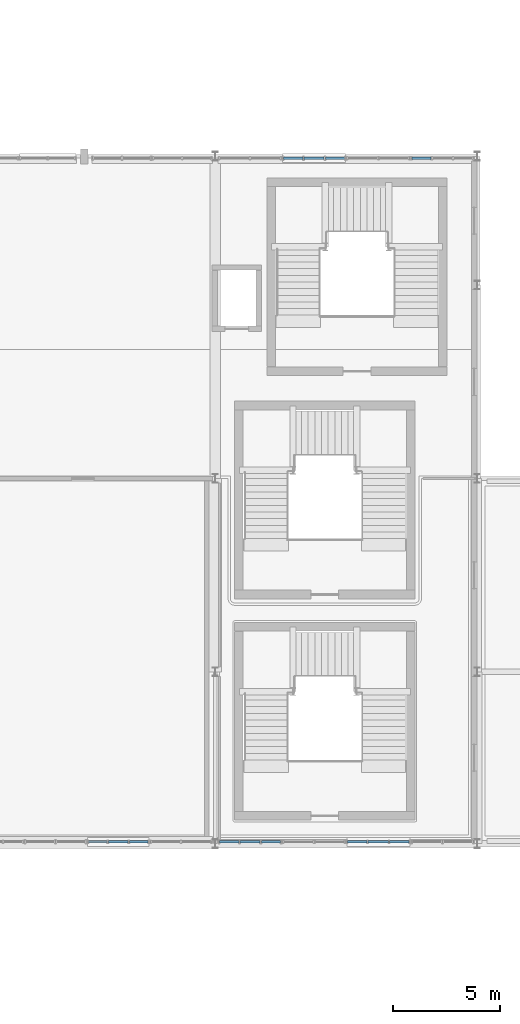
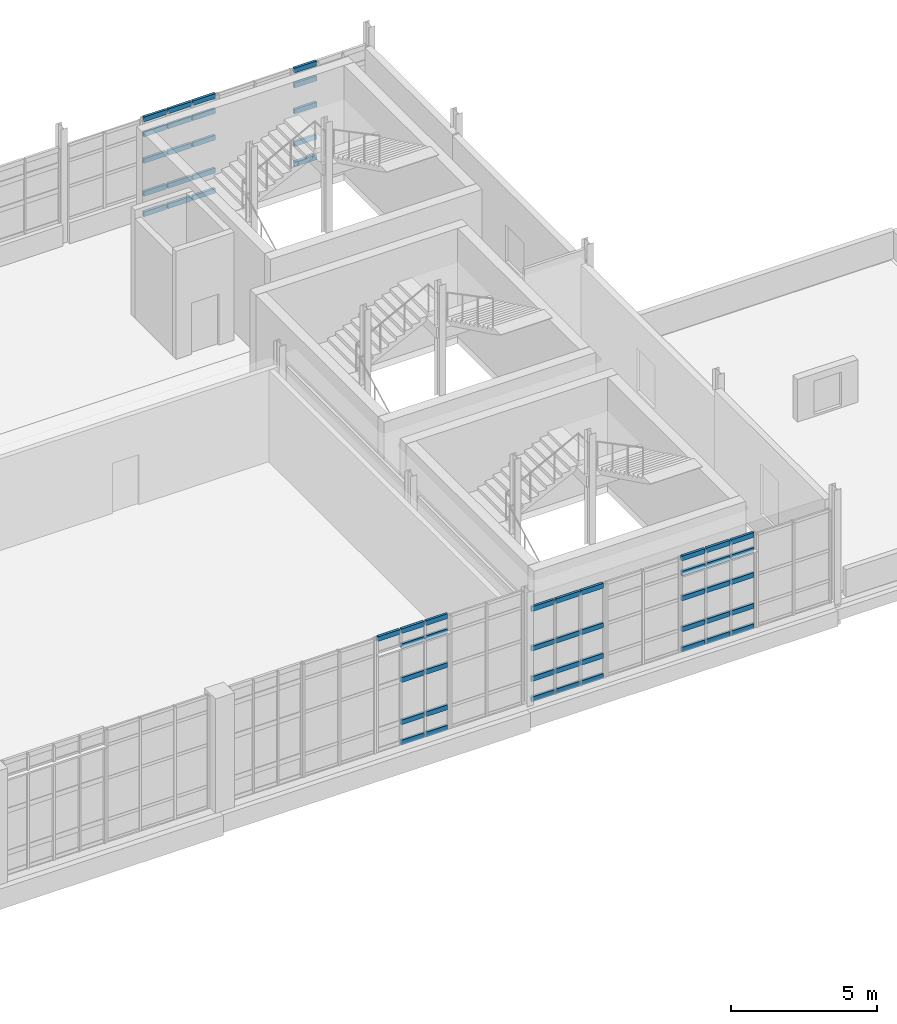
# One storey, part 82 of 127: 58 members, 5 elements without a shape of their own.
"""IFC4 building model written with IfcOpenShell, lengths in metres."""

from ifc_helpers import new_model, si_unit, derived_unit, direction, frame, origin, origin_2d, place, context, subcontext, project, spatial, hollow_rectangle, extrude, material, layer, layer_set, material_profile, profile_set, type_object, element, aggregate, save


model = new_model("IFC4")

# Units and contexts
model_context = context("Model", 3, precision=1e-05, world=origin(), true_north=direction((0.0, 1.0)))
body_context = subcontext(model_context, "Body", "Model", "MODEL_VIEW")
ifc_project = project(units=[si_unit("LENGTHUNIT", "METRE"), si_unit("AREAUNIT", "SQUARE_METRE"), si_unit("VOLUMEUNIT", "CUBIC_METRE"), si_unit("PLANEANGLEUNIT", "RADIAN"), si_unit("MASSUNIT", "GRAM", prefix="KILO"), derived_unit("THERMALTRANSMITTANCEUNIT", [(si_unit("POWERUNIT", "WATT"), 1), (si_unit("LENGTHUNIT", "METRE"), -2), (si_unit("THERMODYNAMICTEMPERATUREUNIT", "KELVIN"), -1)])], contexts=[model_context])

# Site, building, storey
site_placement = place(None, origin())
site = spatial("IfcSite", under=ifc_project, at=site_placement, CompositionType="ELEMENT")
building_placement = place(site_placement, origin())
building = spatial("IfcBuilding", under=site, at=building_placement, Name="Nallur Shell Playhouse", CompositionType="ELEMENT")
storey_placement = place(building_placement, frame((0.0, 0.0, 5.39990234375)))
storey = spatial("IfcBuildingStorey", under=building, at=storey_placement, Name="L02", CompositionType="ELEMENT", Elevation=5.39990234375)

# Curtain wall, members
ifc_material_1 = material(Name="Anodised Aluminium Double-Glazed Facade System", Category="aluminium")
ifc_layer_1 = layer(ifc_material_1, 0.176025390625)
ifc_layer_set_1 = layer_set([ifc_layer_1], Name="Anodised Aluminium Double-Glazed Facade System")
curtain_wall_type_1 = type_object("IfcCurtainWallType", Name="CW-UNIT-04", PredefinedType="NOTDEFINED", material=ifc_layer_set_1)
curtain_wall_1_placement = place(storey_placement, origin())
curtain_wall_1 = element("IfcCurtainWall", 1, at=curtain_wall_1_placement, inside=storey, type_object=curtain_wall_type_1, Name="Unitised curtain wall CW-036 (L02)", PredefinedType="NOTDEFINED")
ifc_material_2 = material(Name="Aluminium Alloy 6063-T6 Transom", Category="aluminium")
ifc_material_profile = material_profile(ifc_material_2, hollow_rectangle(XDim=0.10009765625, YDim=0.199951171875, WallThickness=0.008056640625, at=origin_2d()), Name="RHS 200x100x8")
ifc_profile_set = profile_set([ifc_material_profile], Name="Aluminium Alloy 6063-T6 Transom")
member_type = type_object("IfcMemberType", Name="MB-CW-TRN140", PredefinedType="USERDEFINED", material=ifc_profile_set)
member_1_placement = place(storey_placement, frame((150.78857421875, 55.909912109375, 0.050048828125), z_axis=(1.0, 0.0, 0.0), x_axis=(0.0, 1.0, 0.0)))
member_1 = element("IfcMember", 2, at=member_1_placement, type_object=member_type, Name="CW-04 transom 1.1", ObjectType="TRANSOM", PredefinedType="USERDEFINED", context=body_context, shape_type="SweptSolid", body=[
    extrude(hollow_rectangle(XDim=0.10009765625, YDim=0.199951171875, WallThickness=0.008056640625, at=origin_2d()), origin(), (0.0, 0.0, 1.0), 0.89453125),
])
member_2_placement = place(storey_placement, frame((150.78857421875, 55.909912109375, 0.900146484375), z_axis=(1.0, 0.0, 0.0), x_axis=(0.0, 1.0, 0.0)))
member_2 = element("IfcMember", 3, at=member_2_placement, type_object=member_type, Name="CW-04 transom 1.2", ObjectType="TRANSOM", PredefinedType="USERDEFINED", context=body_context, shape_type="SweptSolid", body=[
    extrude(hollow_rectangle(XDim=0.10009765625, YDim=0.199951171875, WallThickness=0.008056640625, at=origin_2d()), origin(), (0.0, 0.0, 1.0), 0.89453125),
])
member_3_placement = place(storey_placement, frame((150.78857421875, 55.909912109375, 2.281982421875), z_axis=(1.0, 0.0, 0.0), x_axis=(0.0, 1.0, 0.0)))
member_3 = element("IfcMember", 4, at=member_3_placement, type_object=member_type, Name="CW-04 transom 1.3", ObjectType="TRANSOM", PredefinedType="USERDEFINED", context=body_context, shape_type="SweptSolid", body=[
    extrude(hollow_rectangle(XDim=0.10009765625, YDim=0.199951171875, WallThickness=0.008056640625, at=origin_2d()), origin(), (0.0, 0.0, 1.0), 0.89453125),
])
member_4_placement = place(storey_placement, frame((150.78857421875, 55.909912109375, 3.39501953125), z_axis=(1.0, 0.0, 0.0), x_axis=(0.0, 1.0, 0.0)))
member_4 = element("IfcMember", 5, at=member_4_placement, type_object=member_type, Name="CW-04 transom 1.4", ObjectType="TRANSOM", PredefinedType="USERDEFINED", context=body_context, shape_type="SweptSolid", body=[
    extrude(hollow_rectangle(XDim=0.10009765625, YDim=0.199951171875, WallThickness=0.008056640625, at=origin_2d()), origin(), (0.0, 0.0, 1.0), 0.89453125),
])
member_5_placement = place(storey_placement, frame((150.78857421875, 55.909912109375, 4.025146484375), z_axis=(1.0, 0.0, 0.0), x_axis=(0.0, 1.0, 0.0)))
member_5 = element("IfcMember", 6, at=member_5_placement, type_object=member_type, Name="CW-04 transom 1.5", ObjectType="TRANSOM", PredefinedType="USERDEFINED", context=body_context, shape_type="SweptSolid", body=[
    extrude(hollow_rectangle(XDim=0.10009765625, YDim=0.199951171875, WallThickness=0.008056640625, at=origin_2d()), origin(), (0.0, 0.0, 1.0), 0.89453125),
])
member_6_placement = place(storey_placement, frame((151.7421875, 55.909912109375, 0.050048828125), z_axis=(1.0, 0.0, 0.0), x_axis=(0.0, 1.0, 0.0)))
member_6 = element("IfcMember", 7, at=member_6_placement, type_object=member_type, Name="CW-04 transom 2.1", ObjectType="TRANSOM", PredefinedType="USERDEFINED", context=body_context, shape_type="SweptSolid", body=[
    extrude(hollow_rectangle(XDim=0.10009765625, YDim=0.199951171875, WallThickness=0.008056640625, at=origin_2d()), origin(), (0.0, 0.0, 1.0), 0.93212890625),
])
member_7_placement = place(storey_placement, frame((151.7421875, 55.909912109375, 0.900146484375), z_axis=(1.0, 0.0, 0.0), x_axis=(0.0, 1.0, 0.0)))
member_7 = element("IfcMember", 8, at=member_7_placement, type_object=member_type, Name="CW-04 transom 2.2", ObjectType="TRANSOM", PredefinedType="USERDEFINED", context=body_context, shape_type="SweptSolid", body=[
    extrude(hollow_rectangle(XDim=0.10009765625, YDim=0.199951171875, WallThickness=0.008056640625, at=origin_2d()), origin(), (0.0, 0.0, 1.0), 0.93212890625),
])
member_8_placement = place(storey_placement, frame((151.7421875, 55.909912109375, 2.281982421875), z_axis=(1.0, 0.0, 0.0), x_axis=(0.0, 1.0, 0.0)))
member_8 = element("IfcMember", 9, at=member_8_placement, type_object=member_type, Name="CW-04 transom 2.3", ObjectType="TRANSOM", PredefinedType="USERDEFINED", context=body_context, shape_type="SweptSolid", body=[
    extrude(hollow_rectangle(XDim=0.10009765625, YDim=0.199951171875, WallThickness=0.008056640625, at=origin_2d()), origin(), (0.0, 0.0, 1.0), 0.93212890625),
])
member_9_placement = place(storey_placement, frame((151.7421875, 55.909912109375, 3.39501953125), z_axis=(1.0, 0.0, 0.0), x_axis=(0.0, 1.0, 0.0)))
member_9 = element("IfcMember", 10, at=member_9_placement, type_object=member_type, Name="CW-04 transom 2.4", ObjectType="TRANSOM", PredefinedType="USERDEFINED", context=body_context, shape_type="SweptSolid", body=[
    extrude(hollow_rectangle(XDim=0.10009765625, YDim=0.199951171875, WallThickness=0.008056640625, at=origin_2d()), origin(), (0.0, 0.0, 1.0), 0.93212890625),
])
member_10_placement = place(storey_placement, frame((151.7421875, 55.909912109375, 4.025146484375), z_axis=(1.0, 0.0, 0.0), x_axis=(0.0, 1.0, 0.0)))
member_10 = element("IfcMember", 11, at=member_10_placement, type_object=member_type, Name="CW-04 transom 2.5", ObjectType="TRANSOM", PredefinedType="USERDEFINED", context=body_context, shape_type="SweptSolid", body=[
    extrude(hollow_rectangle(XDim=0.10009765625, YDim=0.199951171875, WallThickness=0.008056640625, at=origin_2d()), origin(), (0.0, 0.0, 1.0), 0.93212890625),
])
member_11_placement = place(storey_placement, frame((152.7333984375, 55.909912109375, 0.050048828125), z_axis=(1.0, 0.0, 0.0), x_axis=(0.0, 1.0, 0.0)))
member_11 = element("IfcMember", 12, at=member_11_placement, type_object=member_type, Name="CW-04 transom 3.1", ObjectType="TRANSOM", PredefinedType="USERDEFINED", context=body_context, shape_type="SweptSolid", body=[
    extrude(hollow_rectangle(XDim=0.10009765625, YDim=0.199951171875, WallThickness=0.008056640625, at=origin_2d()), origin(), (0.0, 0.0, 1.0), 0.89453125),
])
member_12_placement = place(storey_placement, frame((152.7333984375, 55.909912109375, 0.900146484375), z_axis=(1.0, 0.0, 0.0), x_axis=(0.0, 1.0, 0.0)))
member_12 = element("IfcMember", 13, at=member_12_placement, type_object=member_type, Name="CW-04 transom 3.2", ObjectType="TRANSOM", PredefinedType="USERDEFINED", context=body_context, shape_type="SweptSolid", body=[
    extrude(hollow_rectangle(XDim=0.10009765625, YDim=0.199951171875, WallThickness=0.008056640625, at=origin_2d()), origin(), (0.0, 0.0, 1.0), 0.89453125),
])
member_13_placement = place(storey_placement, frame((152.7333984375, 55.909912109375, 2.281982421875), z_axis=(1.0, 0.0, 0.0), x_axis=(0.0, 1.0, 0.0)))
member_13 = element("IfcMember", 14, at=member_13_placement, type_object=member_type, Name="CW-04 transom 3.3", ObjectType="TRANSOM", PredefinedType="USERDEFINED", context=body_context, shape_type="SweptSolid", body=[
    extrude(hollow_rectangle(XDim=0.10009765625, YDim=0.199951171875, WallThickness=0.008056640625, at=origin_2d()), origin(), (0.0, 0.0, 1.0), 0.89453125),
])
member_14_placement = place(storey_placement, frame((152.7333984375, 55.909912109375, 3.39501953125), z_axis=(1.0, 0.0, 0.0), x_axis=(0.0, 1.0, 0.0)))
member_14 = element("IfcMember", 15, at=member_14_placement, type_object=member_type, Name="CW-04 transom 3.4", ObjectType="TRANSOM", PredefinedType="USERDEFINED", context=body_context, shape_type="SweptSolid", body=[
    extrude(hollow_rectangle(XDim=0.10009765625, YDim=0.199951171875, WallThickness=0.008056640625, at=origin_2d()), origin(), (0.0, 0.0, 1.0), 0.89453125),
])
member_15_placement = place(storey_placement, frame((152.7333984375, 55.909912109375, 4.025146484375), z_axis=(1.0, 0.0, 0.0), x_axis=(0.0, 1.0, 0.0)))
member_15 = element("IfcMember", 16, at=member_15_placement, type_object=member_type, Name="CW-04 transom 3.5", ObjectType="TRANSOM", PredefinedType="USERDEFINED", context=body_context, shape_type="SweptSolid", body=[
    extrude(hollow_rectangle(XDim=0.10009765625, YDim=0.199951171875, WallThickness=0.008056640625, at=origin_2d()), origin(), (0.0, 0.0, 1.0), 0.89453125),
])
aggregate(curtain_wall_1, [member_1, member_2, member_3, member_4, member_5, member_6, member_7, member_8, member_9, member_10, member_11, member_12, member_13, member_14, member_15])

ifc_layer_2 = layer(ifc_material_1, 0.159912109375)
ifc_layer_set_2 = layer_set([ifc_layer_2], Name="Anodised Aluminium Double-Glazed Facade System")
curtain_wall_type_2 = type_object("IfcCurtainWallType", Name="CW-UNIT-06", PredefinedType="NOTDEFINED", material=ifc_layer_set_2)
curtain_wall_2_placement = place(storey_placement, origin())
curtain_wall_2 = element("IfcCurtainWall", 17, at=curtain_wall_2_placement, inside=storey, type_object=curtain_wall_type_2, Name="Unitised curtain wall CW-038 (L02)", PredefinedType="NOTDEFINED")
member_16_placement = place(storey_placement, frame((156.760498046875, 55.909912109375, 0.050048828125), z_axis=(1.0, 0.0, 0.0), x_axis=(0.0, 1.0, 0.0)))
member_16 = element("IfcMember", 18, at=member_16_placement, type_object=member_type, Name="CW-06 transom 1.1", ObjectType="TRANSOM", PredefinedType="USERDEFINED", context=body_context, shape_type="SweptSolid", body=[
    extrude(hollow_rectangle(XDim=0.10009765625, YDim=0.199951171875, WallThickness=0.008056640625, at=origin_2d()), origin(), (0.0, 0.0, 1.0), 0.888916015625),
])
member_17_placement = place(storey_placement, frame((156.760498046875, 55.909912109375, 0.900146484375), z_axis=(1.0, 0.0, 0.0), x_axis=(0.0, 1.0, 0.0)))
member_17 = element("IfcMember", 19, at=member_17_placement, type_object=member_type, Name="CW-06 transom 1.2", ObjectType="TRANSOM", PredefinedType="USERDEFINED", context=body_context, shape_type="SweptSolid", body=[
    extrude(hollow_rectangle(XDim=0.10009765625, YDim=0.199951171875, WallThickness=0.008056640625, at=origin_2d()), origin(), (0.0, 0.0, 1.0), 0.888916015625),
])
member_18_placement = place(storey_placement, frame((156.760498046875, 55.909912109375, 2.260009765625), z_axis=(1.0, 0.0, 0.0), x_axis=(0.0, 1.0, 0.0)))
member_18 = element("IfcMember", 20, at=member_18_placement, type_object=member_type, Name="CW-06 transom 1.3", ObjectType="TRANSOM", PredefinedType="USERDEFINED", context=body_context, shape_type="SweptSolid", body=[
    extrude(hollow_rectangle(XDim=0.10009765625, YDim=0.199951171875, WallThickness=0.008056640625, at=origin_2d()), origin(), (0.0, 0.0, 1.0), 0.888916015625),
])
member_19_placement = place(storey_placement, frame((156.760498046875, 55.909912109375, 3.35498046875), z_axis=(1.0, 0.0, 0.0), x_axis=(0.0, 1.0, 0.0)))
member_19 = element("IfcMember", 21, at=member_19_placement, type_object=member_type, Name="CW-06 transom 1.4", ObjectType="TRANSOM", PredefinedType="USERDEFINED", context=body_context, shape_type="SweptSolid", body=[
    extrude(hollow_rectangle(XDim=0.10009765625, YDim=0.199951171875, WallThickness=0.008056640625, at=origin_2d()), origin(), (0.0, 0.0, 1.0), 0.888916015625),
])
member_20_placement = place(storey_placement, frame((156.760498046875, 55.909912109375, 3.985107421875), z_axis=(1.0, 0.0, 0.0), x_axis=(0.0, 1.0, 0.0)))
member_20 = element("IfcMember", 22, at=member_20_placement, type_object=member_type, Name="CW-06 transom 1.5", ObjectType="TRANSOM", PredefinedType="USERDEFINED", context=body_context, shape_type="SweptSolid", body=[
    extrude(hollow_rectangle(XDim=0.10009765625, YDim=0.199951171875, WallThickness=0.008056640625, at=origin_2d()), origin(), (0.0, 0.0, 1.0), 0.888916015625),
])
aggregate(curtain_wall_2, [member_16, member_17, member_18, member_19, member_20])

ifc_layer_3 = layer(ifc_material_1, 0.16796875)
ifc_layer_set_3 = layer_set([ifc_layer_3], Name="Anodised Aluminium Double-Glazed Facade System")
curtain_wall_type_3 = type_object("IfcCurtainWallType", Name="CW-UNIT-08", PredefinedType="NOTDEFINED", material=ifc_layer_set_3)
curtain_wall_3_placement = place(storey_placement, origin())
curtain_wall_3 = element("IfcCurtainWall", 23, at=curtain_wall_3_placement, inside=storey, type_object=curtain_wall_type_3, Name="Unitised curtain wall CW-040 (L02)", PredefinedType="NOTDEFINED")
member_21_placement = place(storey_placement, frame((156.62158203125, 24.090087890625, 0.050048828125), z_axis=(-1.0, 0.0, 0.0), x_axis=(0.0, -1.0, 0.0)))
member_21 = element("IfcMember", 24, at=member_21_placement, type_object=member_type, Name="CW-08 transom 1.1", ObjectType="TRANSOM", PredefinedType="USERDEFINED", context=body_context, shape_type="SweptSolid", body=[
    extrude(hollow_rectangle(XDim=0.10009765625, YDim=0.199951171875, WallThickness=0.008056640625, at=origin_2d()), origin(), (0.0, 0.0, 1.0), 0.90966796875),
])
member_22_placement = place(storey_placement, frame((156.62158203125, 24.090087890625, 0.900146484375), z_axis=(-1.0, 0.0, 0.0), x_axis=(0.0, -1.0, 0.0)))
member_22 = element("IfcMember", 25, at=member_22_placement, type_object=member_type, Name="CW-08 transom 1.2", ObjectType="TRANSOM", PredefinedType="USERDEFINED", context=body_context, shape_type="SweptSolid", body=[
    extrude(hollow_rectangle(XDim=0.10009765625, YDim=0.199951171875, WallThickness=0.008056640625, at=origin_2d()), origin(), (0.0, 0.0, 1.0), 0.90966796875),
])
member_23_placement = place(storey_placement, frame((156.62158203125, 24.090087890625, 2.197998046875), z_axis=(-1.0, 0.0, 0.0), x_axis=(0.0, -1.0, 0.0)))
member_23 = element("IfcMember", 26, at=member_23_placement, type_object=member_type, Name="CW-08 transom 1.3", ObjectType="TRANSOM", PredefinedType="USERDEFINED", context=body_context, shape_type="SweptSolid", body=[
    extrude(hollow_rectangle(XDim=0.10009765625, YDim=0.199951171875, WallThickness=0.008056640625, at=origin_2d()), origin(), (0.0, 0.0, 1.0), 0.90966796875),
])
member_24_placement = place(storey_placement, frame((156.62158203125, 24.090087890625, 3.2451171875), z_axis=(-1.0, 0.0, 0.0), x_axis=(0.0, -1.0, 0.0)))
member_24 = element("IfcMember", 27, at=member_24_placement, type_object=member_type, Name="CW-08 transom 1.4", ObjectType="TRANSOM", PredefinedType="USERDEFINED", context=body_context, shape_type="SweptSolid", body=[
    extrude(hollow_rectangle(XDim=0.10009765625, YDim=0.199951171875, WallThickness=0.008056640625, at=origin_2d()), origin(), (0.0, 0.0, 1.0), 0.90966796875),
])
member_25_placement = place(storey_placement, frame((156.62158203125, 24.090087890625, 3.875), z_axis=(-1.0, 0.0, 0.0), x_axis=(0.0, -1.0, 0.0)))
member_25 = element("IfcMember", 28, at=member_25_placement, type_object=member_type, Name="CW-08 transom 1.5", ObjectType="TRANSOM", PredefinedType="USERDEFINED", context=body_context, shape_type="SweptSolid", body=[
    extrude(hollow_rectangle(XDim=0.10009765625, YDim=0.199951171875, WallThickness=0.008056640625, at=origin_2d()), origin(), (0.0, 0.0, 1.0), 0.90966796875),
])
member_26_placement = place(storey_placement, frame((155.662841796875, 24.090087890625, 0.050048828125), z_axis=(-1.0, 0.0, 0.0), x_axis=(0.0, -1.0, 0.0)))
member_26 = element("IfcMember", 29, at=member_26_placement, type_object=member_type, Name="CW-08 transom 2.1", ObjectType="TRANSOM", PredefinedType="USERDEFINED", context=body_context, shape_type="SweptSolid", body=[
    extrude(hollow_rectangle(XDim=0.10009765625, YDim=0.199951171875, WallThickness=0.008056640625, at=origin_2d()), origin(), (0.0, 0.0, 1.0), 0.942138671875),
])
member_27_placement = place(storey_placement, frame((155.662841796875, 24.090087890625, 0.900146484375), z_axis=(-1.0, 0.0, 0.0), x_axis=(0.0, -1.0, 0.0)))
member_27 = element("IfcMember", 30, at=member_27_placement, type_object=member_type, Name="CW-08 transom 2.2", ObjectType="TRANSOM", PredefinedType="USERDEFINED", context=body_context, shape_type="SweptSolid", body=[
    extrude(hollow_rectangle(XDim=0.10009765625, YDim=0.199951171875, WallThickness=0.008056640625, at=origin_2d()), origin(), (0.0, 0.0, 1.0), 0.942138671875),
])
member_28_placement = place(storey_placement, frame((155.662841796875, 24.090087890625, 2.197998046875), z_axis=(-1.0, 0.0, 0.0), x_axis=(0.0, -1.0, 0.0)))
member_28 = element("IfcMember", 31, at=member_28_placement, type_object=member_type, Name="CW-08 transom 2.3", ObjectType="TRANSOM", PredefinedType="USERDEFINED", context=body_context, shape_type="SweptSolid", body=[
    extrude(hollow_rectangle(XDim=0.10009765625, YDim=0.199951171875, WallThickness=0.008056640625, at=origin_2d()), origin(), (0.0, 0.0, 1.0), 0.942138671875),
])
member_29_placement = place(storey_placement, frame((155.662841796875, 24.090087890625, 3.2451171875), z_axis=(-1.0, 0.0, 0.0), x_axis=(0.0, -1.0, 0.0)))
member_29 = element("IfcMember", 32, at=member_29_placement, type_object=member_type, Name="CW-08 transom 2.4", ObjectType="TRANSOM", PredefinedType="USERDEFINED", context=body_context, shape_type="SweptSolid", body=[
    extrude(hollow_rectangle(XDim=0.10009765625, YDim=0.199951171875, WallThickness=0.008056640625, at=origin_2d()), origin(), (0.0, 0.0, 1.0), 0.942138671875),
])
member_30_placement = place(storey_placement, frame((155.662841796875, 24.090087890625, 3.875), z_axis=(-1.0, 0.0, 0.0), x_axis=(0.0, -1.0, 0.0)))
member_30 = element("IfcMember", 33, at=member_30_placement, type_object=member_type, Name="CW-08 transom 2.5", ObjectType="TRANSOM", PredefinedType="USERDEFINED", context=body_context, shape_type="SweptSolid", body=[
    extrude(hollow_rectangle(XDim=0.10009765625, YDim=0.199951171875, WallThickness=0.008056640625, at=origin_2d()), origin(), (0.0, 0.0, 1.0), 0.942138671875),
])
member_31_placement = place(storey_placement, frame((154.671630859375, 24.090087890625, 0.050048828125), z_axis=(-1.0, 0.0, 0.0), x_axis=(0.0, -1.0, 0.0)))
member_31 = element("IfcMember", 34, at=member_31_placement, type_object=member_type, Name="CW-08 transom 3.1", ObjectType="TRANSOM", PredefinedType="USERDEFINED", context=body_context, shape_type="SweptSolid", body=[
    extrude(hollow_rectangle(XDim=0.10009765625, YDim=0.199951171875, WallThickness=0.008056640625, at=origin_2d()), origin(), (0.0, 0.0, 1.0), 0.90966796875),
])
member_32_placement = place(storey_placement, frame((154.671630859375, 24.090087890625, 0.900146484375), z_axis=(-1.0, 0.0, 0.0), x_axis=(0.0, -1.0, 0.0)))
member_32 = element("IfcMember", 35, at=member_32_placement, type_object=member_type, Name="CW-08 transom 3.2", ObjectType="TRANSOM", PredefinedType="USERDEFINED", context=body_context, shape_type="SweptSolid", body=[
    extrude(hollow_rectangle(XDim=0.10009765625, YDim=0.199951171875, WallThickness=0.008056640625, at=origin_2d()), origin(), (0.0, 0.0, 1.0), 0.90966796875),
])
member_33_placement = place(storey_placement, frame((154.671630859375, 24.090087890625, 2.197998046875), z_axis=(-1.0, 0.0, 0.0), x_axis=(0.0, -1.0, 0.0)))
member_33 = element("IfcMember", 36, at=member_33_placement, type_object=member_type, Name="CW-08 transom 3.3", ObjectType="TRANSOM", PredefinedType="USERDEFINED", context=body_context, shape_type="SweptSolid", body=[
    extrude(hollow_rectangle(XDim=0.10009765625, YDim=0.199951171875, WallThickness=0.008056640625, at=origin_2d()), origin(), (0.0, 0.0, 1.0), 0.90966796875),
])
member_34_placement = place(storey_placement, frame((154.671630859375, 24.090087890625, 3.2451171875), z_axis=(-1.0, 0.0, 0.0), x_axis=(0.0, -1.0, 0.0)))
member_34 = element("IfcMember", 37, at=member_34_placement, type_object=member_type, Name="CW-08 transom 3.4", ObjectType="TRANSOM", PredefinedType="USERDEFINED", context=body_context, shape_type="SweptSolid", body=[
    extrude(hollow_rectangle(XDim=0.10009765625, YDim=0.199951171875, WallThickness=0.008056640625, at=origin_2d()), origin(), (0.0, 0.0, 1.0), 0.90966796875),
])
member_35_placement = place(storey_placement, frame((154.671630859375, 24.090087890625, 3.875), z_axis=(-1.0, 0.0, 0.0), x_axis=(0.0, -1.0, 0.0)))
member_35 = element("IfcMember", 38, at=member_35_placement, type_object=member_type, Name="CW-08 transom 3.5", ObjectType="TRANSOM", PredefinedType="USERDEFINED", context=body_context, shape_type="SweptSolid", body=[
    extrude(hollow_rectangle(XDim=0.10009765625, YDim=0.199951171875, WallThickness=0.008056640625, at=origin_2d()), origin(), (0.0, 0.0, 1.0), 0.90966796875),
])
aggregate(curtain_wall_3, [member_21, member_22, member_23, member_24, member_25, member_26, member_27, member_28, member_29, member_30, member_31, member_32, member_33, member_34, member_35])

ifc_layer_4 = layer(ifc_material_1, 0.176025390625)
ifc_layer_set_4 = layer_set([ifc_layer_4], Name="Anodised Aluminium Double-Glazed Facade System")
curtain_wall_type_4 = type_object("IfcCurtainWallType", Name="CW-UNIT-10", PredefinedType="NOTDEFINED", material=ifc_layer_set_4)
curtain_wall_4_placement = place(storey_placement, origin())
curtain_wall_4 = element("IfcCurtainWall", 39, at=curtain_wall_4_placement, inside=storey, type_object=curtain_wall_type_4, Name="Unitised curtain wall CW-042 (L02)", PredefinedType="NOTDEFINED")
member_36_placement = place(storey_placement, frame((150.64453125, 24.090087890625, 0.050048828125), z_axis=(-1.0, 0.0, 0.0), x_axis=(0.0, -1.0, 0.0)))
member_36 = element("IfcMember", 40, at=member_36_placement, type_object=member_type, Name="CW-10 transom 1.1", ObjectType="TRANSOM", PredefinedType="USERDEFINED", context=body_context, shape_type="SweptSolid", body=[
    extrude(hollow_rectangle(XDim=0.10009765625, YDim=0.199951171875, WallThickness=0.008056640625, at=origin_2d()), origin(), (0.0, 0.0, 1.0), 0.896484375),
])
member_37_placement = place(storey_placement, frame((150.64453125, 24.090087890625, 0.900146484375), z_axis=(-1.0, 0.0, 0.0), x_axis=(0.0, -1.0, 0.0)))
member_37 = element("IfcMember", 41, at=member_37_placement, type_object=member_type, Name="CW-10 transom 1.2", ObjectType="TRANSOM", PredefinedType="USERDEFINED", context=body_context, shape_type="SweptSolid", body=[
    extrude(hollow_rectangle(XDim=0.10009765625, YDim=0.199951171875, WallThickness=0.008056640625, at=origin_2d()), origin(), (0.0, 0.0, 1.0), 0.896484375),
])
member_38_placement = place(storey_placement, frame((150.64453125, 24.090087890625, 2.176025390625), z_axis=(-1.0, 0.0, 0.0), x_axis=(0.0, -1.0, 0.0)))
member_38 = element("IfcMember", 42, at=member_38_placement, type_object=member_type, Name="CW-10 transom 1.3", ObjectType="TRANSOM", PredefinedType="USERDEFINED", context=body_context, shape_type="SweptSolid", body=[
    extrude(hollow_rectangle(XDim=0.10009765625, YDim=0.199951171875, WallThickness=0.008056640625, at=origin_2d()), origin(), (0.0, 0.0, 1.0), 0.896484375),
])
member_39_placement = place(storey_placement, frame((150.64453125, 24.090087890625, 3.835205078125), z_axis=(-1.0, 0.0, 0.0), x_axis=(0.0, -1.0, 0.0)))
member_39 = element("IfcMember", 43, at=member_39_placement, type_object=member_type, Name="CW-10 transom 1.4", ObjectType="TRANSOM", PredefinedType="USERDEFINED", context=body_context, shape_type="SweptSolid", body=[
    extrude(hollow_rectangle(XDim=0.10009765625, YDim=0.199951171875, WallThickness=0.008056640625, at=origin_2d()), origin(), (0.0, 0.0, 1.0), 0.896484375),
])
member_40_placement = place(storey_placement, frame((149.689208984375, 24.090087890625, 0.050048828125), z_axis=(-1.0, 0.0, 0.0), x_axis=(0.0, -1.0, 0.0)))
member_40 = element("IfcMember", 44, at=member_40_placement, type_object=member_type, Name="CW-10 transom 2.1", ObjectType="TRANSOM", PredefinedType="USERDEFINED", context=body_context, shape_type="SweptSolid", body=[
    extrude(hollow_rectangle(XDim=0.10009765625, YDim=0.199951171875, WallThickness=0.008056640625, at=origin_2d()), origin(), (0.0, 0.0, 1.0), 0.933837890625),
])
member_41_placement = place(storey_placement, frame((149.689208984375, 24.090087890625, 0.900146484375), z_axis=(-1.0, 0.0, 0.0), x_axis=(0.0, -1.0, 0.0)))
member_41 = element("IfcMember", 45, at=member_41_placement, type_object=member_type, Name="CW-10 transom 2.2", ObjectType="TRANSOM", PredefinedType="USERDEFINED", context=body_context, shape_type="SweptSolid", body=[
    extrude(hollow_rectangle(XDim=0.10009765625, YDim=0.199951171875, WallThickness=0.008056640625, at=origin_2d()), origin(), (0.0, 0.0, 1.0), 0.933837890625),
])
member_42_placement = place(storey_placement, frame((149.689208984375, 24.090087890625, 2.176025390625), z_axis=(-1.0, 0.0, 0.0), x_axis=(0.0, -1.0, 0.0)))
member_42 = element("IfcMember", 46, at=member_42_placement, type_object=member_type, Name="CW-10 transom 2.3", ObjectType="TRANSOM", PredefinedType="USERDEFINED", context=body_context, shape_type="SweptSolid", body=[
    extrude(hollow_rectangle(XDim=0.10009765625, YDim=0.199951171875, WallThickness=0.008056640625, at=origin_2d()), origin(), (0.0, 0.0, 1.0), 0.933837890625),
])
member_43_placement = place(storey_placement, frame((149.689208984375, 24.090087890625, 3.835205078125), z_axis=(-1.0, 0.0, 0.0), x_axis=(0.0, -1.0, 0.0)))
member_43 = element("IfcMember", 47, at=member_43_placement, type_object=member_type, Name="CW-10 transom 2.4", ObjectType="TRANSOM", PredefinedType="USERDEFINED", context=body_context, shape_type="SweptSolid", body=[
    extrude(hollow_rectangle(XDim=0.10009765625, YDim=0.199951171875, WallThickness=0.008056640625, at=origin_2d()), origin(), (0.0, 0.0, 1.0), 0.933837890625),
])
member_44_placement = place(storey_placement, frame((148.6962890625, 24.090087890625, 0.050048828125), z_axis=(-1.0, 0.0, 0.0), x_axis=(0.0, -1.0, 0.0)))
member_44 = element("IfcMember", 48, at=member_44_placement, type_object=member_type, Name="CW-10 transom 3.1", ObjectType="TRANSOM", PredefinedType="USERDEFINED", context=body_context, shape_type="SweptSolid", body=[
    extrude(hollow_rectangle(XDim=0.10009765625, YDim=0.199951171875, WallThickness=0.008056640625, at=origin_2d()), origin(), (0.0, 0.0, 1.0), 0.896240234375),
])
member_45_placement = place(storey_placement, frame((148.6962890625, 24.090087890625, 0.900146484375), z_axis=(-1.0, 0.0, 0.0), x_axis=(0.0, -1.0, 0.0)))
member_45 = element("IfcMember", 49, at=member_45_placement, type_object=member_type, Name="CW-10 transom 3.2", ObjectType="TRANSOM", PredefinedType="USERDEFINED", context=body_context, shape_type="SweptSolid", body=[
    extrude(hollow_rectangle(XDim=0.10009765625, YDim=0.199951171875, WallThickness=0.008056640625, at=origin_2d()), origin(), (0.0, 0.0, 1.0), 0.896240234375),
])
member_46_placement = place(storey_placement, frame((148.6962890625, 24.090087890625, 2.176025390625), z_axis=(-1.0, 0.0, 0.0), x_axis=(0.0, -1.0, 0.0)))
member_46 = element("IfcMember", 50, at=member_46_placement, type_object=member_type, Name="CW-10 transom 3.3", ObjectType="TRANSOM", PredefinedType="USERDEFINED", context=body_context, shape_type="SweptSolid", body=[
    extrude(hollow_rectangle(XDim=0.10009765625, YDim=0.199951171875, WallThickness=0.008056640625, at=origin_2d()), origin(), (0.0, 0.0, 1.0), 0.896240234375),
])
member_47_placement = place(storey_placement, frame((148.6962890625, 24.090087890625, 3.835205078125), z_axis=(-1.0, 0.0, 0.0), x_axis=(0.0, -1.0, 0.0)))
member_47 = element("IfcMember", 51, at=member_47_placement, type_object=member_type, Name="CW-10 transom 3.4", ObjectType="TRANSOM", PredefinedType="USERDEFINED", context=body_context, shape_type="SweptSolid", body=[
    extrude(hollow_rectangle(XDim=0.10009765625, YDim=0.199951171875, WallThickness=0.008056640625, at=origin_2d()), origin(), (0.0, 0.0, 1.0), 0.896240234375),
])
aggregate(curtain_wall_4, [member_36, member_37, member_38, member_39, member_40, member_41, member_42, member_43, member_44, member_45, member_46, member_47])

ifc_layer_5 = layer(ifc_material_1, 0.159912109375)
ifc_layer_set_5 = layer_set([ifc_layer_5], Name="Anodised Aluminium Double-Glazed Facade System")
curtain_wall_type_5 = type_object("IfcCurtainWallType", Name="CW-UNIT-12", PredefinedType="NOTDEFINED", material=ifc_layer_set_5)
curtain_wall_5_placement = place(storey_placement, origin())
curtain_wall_5 = element("IfcCurtainWall", 52, at=curtain_wall_5_placement, inside=storey, type_object=curtain_wall_type_5, Name="Unitised curtain wall CW-044 (L02)", PredefinedType="NOTDEFINED")
member_48_placement = place(storey_placement, frame((144.468994140625, 24.090087890625, 0.050048828125), z_axis=(-1.0, 0.0, 0.0), x_axis=(0.0, -1.0, 0.0)))
member_48 = element("IfcMember", 53, at=member_48_placement, type_object=member_type, Name="CW-12 transom 1.1", ObjectType="TRANSOM", PredefinedType="USERDEFINED", context=body_context, shape_type="SweptSolid", body=[
    extrude(hollow_rectangle(XDim=0.10009765625, YDim=0.199951171875, WallThickness=0.008056640625, at=origin_2d()), origin(), (0.0, 0.0, 1.0), 0.8662109375),
])
member_49_placement = place(storey_placement, frame((144.468994140625, 24.090087890625, 0.900146484375), z_axis=(-1.0, 0.0, 0.0), x_axis=(0.0, -1.0, 0.0)))
member_49 = element("IfcMember", 54, at=member_49_placement, type_object=member_type, Name="CW-12 transom 1.2", ObjectType="TRANSOM", PredefinedType="USERDEFINED", context=body_context, shape_type="SweptSolid", body=[
    extrude(hollow_rectangle(XDim=0.10009765625, YDim=0.199951171875, WallThickness=0.008056640625, at=origin_2d()), origin(), (0.0, 0.0, 1.0), 0.8662109375),
])
member_50_placement = place(storey_placement, frame((144.468994140625, 24.090087890625, 2.671142578125), z_axis=(-1.0, 0.0, 0.0), x_axis=(0.0, -1.0, 0.0)))
member_50 = element("IfcMember", 55, at=member_50_placement, type_object=member_type, Name="CW-12 transom 1.3", ObjectType="TRANSOM", PredefinedType="USERDEFINED", context=body_context, shape_type="SweptSolid", body=[
    extrude(hollow_rectangle(XDim=0.10009765625, YDim=0.199951171875, WallThickness=0.008056640625, at=origin_2d()), origin(), (0.0, 0.0, 1.0), 0.8662109375),
])
member_51_placement = place(storey_placement, frame((144.468994140625, 24.090087890625, 4.090087890625), z_axis=(-1.0, 0.0, 0.0), x_axis=(0.0, -1.0, 0.0)))
member_51 = element("IfcMember", 56, at=member_51_placement, type_object=member_type, Name="CW-12 transom 1.4", ObjectType="TRANSOM", PredefinedType="USERDEFINED", context=body_context, shape_type="SweptSolid", body=[
    extrude(hollow_rectangle(XDim=0.10009765625, YDim=0.199951171875, WallThickness=0.008056640625, at=origin_2d()), origin(), (0.0, 0.0, 1.0), 0.8662109375),
])
member_52_placement = place(storey_placement, frame((144.468994140625, 24.090087890625, 4.72021484375), z_axis=(-1.0, 0.0, 0.0), x_axis=(0.0, -1.0, 0.0)))
member_52 = element("IfcMember", 57, at=member_52_placement, type_object=member_type, Name="CW-12 transom 1.5", ObjectType="TRANSOM", PredefinedType="USERDEFINED", context=body_context, shape_type="SweptSolid", body=[
    extrude(hollow_rectangle(XDim=0.10009765625, YDim=0.199951171875, WallThickness=0.008056640625, at=origin_2d()), origin(), (0.0, 0.0, 1.0), 0.8662109375),
])
member_53_placement = place(storey_placement, frame((143.53857421875, 24.090087890625, 0.050048828125), z_axis=(-1.0, 0.0, 0.0), x_axis=(0.0, -1.0, 0.0)))
member_53 = element("IfcMember", 58, at=member_53_placement, type_object=member_type, Name="CW-12 transom 2.1", ObjectType="TRANSOM", PredefinedType="USERDEFINED", context=body_context, shape_type="SweptSolid", body=[
    extrude(hollow_rectangle(XDim=0.10009765625, YDim=0.199951171875, WallThickness=0.008056640625, at=origin_2d()), origin(), (0.0, 0.0, 1.0), 0.90625),
])
member_54_placement = place(storey_placement, frame((143.53857421875, 24.090087890625, 0.900146484375), z_axis=(-1.0, 0.0, 0.0), x_axis=(0.0, -1.0, 0.0)))
member_54 = element("IfcMember", 59, at=member_54_placement, type_object=member_type, Name="CW-12 transom 2.2", ObjectType="TRANSOM", PredefinedType="USERDEFINED", context=body_context, shape_type="SweptSolid", body=[
    extrude(hollow_rectangle(XDim=0.10009765625, YDim=0.199951171875, WallThickness=0.008056640625, at=origin_2d()), origin(), (0.0, 0.0, 1.0), 0.90625),
])
member_55_placement = place(storey_placement, frame((143.53857421875, 24.090087890625, 2.671142578125), z_axis=(-1.0, 0.0, 0.0), x_axis=(0.0, -1.0, 0.0)))
member_55 = element("IfcMember", 60, at=member_55_placement, type_object=member_type, Name="CW-12 transom 2.3", ObjectType="TRANSOM", PredefinedType="USERDEFINED", context=body_context, shape_type="SweptSolid", body=[
    extrude(hollow_rectangle(XDim=0.10009765625, YDim=0.199951171875, WallThickness=0.008056640625, at=origin_2d()), origin(), (0.0, 0.0, 1.0), 0.90625),
])
member_56_placement = place(storey_placement, frame((143.53857421875, 24.090087890625, 4.090087890625), z_axis=(-1.0, 0.0, 0.0), x_axis=(0.0, -1.0, 0.0)))
member_56 = element("IfcMember", 61, at=member_56_placement, type_object=member_type, Name="CW-12 transom 2.4", ObjectType="TRANSOM", PredefinedType="USERDEFINED", context=body_context, shape_type="SweptSolid", body=[
    extrude(hollow_rectangle(XDim=0.10009765625, YDim=0.199951171875, WallThickness=0.008056640625, at=origin_2d()), origin(), (0.0, 0.0, 1.0), 0.90625),
])
member_57_placement = place(storey_placement, frame((143.53857421875, 24.090087890625, 4.72021484375), z_axis=(-1.0, 0.0, 0.0), x_axis=(0.0, -1.0, 0.0)))
member_57 = element("IfcMember", 62, at=member_57_placement, type_object=member_type, Name="CW-12 transom 2.5", ObjectType="TRANSOM", PredefinedType="USERDEFINED", context=body_context, shape_type="SweptSolid", body=[
    extrude(hollow_rectangle(XDim=0.10009765625, YDim=0.199951171875, WallThickness=0.008056640625, at=origin_2d()), origin(), (0.0, 0.0, 1.0), 0.90625),
])
member_58_placement = place(storey_placement, frame((142.568359375, 24.090087890625, 4.72021484375), z_axis=(-1.0, 0.0, 0.0), x_axis=(0.0, -1.0, 0.0)))
member_58 = element("IfcMember", 63, at=member_58_placement, type_object=member_type, Name="CW-12 transom 3.5", ObjectType="TRANSOM", PredefinedType="USERDEFINED", context=body_context, shape_type="SweptSolid", body=[
    extrude(hollow_rectangle(XDim=0.10009765625, YDim=0.199951171875, WallThickness=0.008056640625, at=origin_2d()), origin(), (0.0, 0.0, 1.0), 0.866455078125),
])
aggregate(curtain_wall_5, [member_48, member_49, member_50, member_51, member_52, member_53, member_54, member_55, member_56, member_57, member_58])

save(model, "model.ifc")
